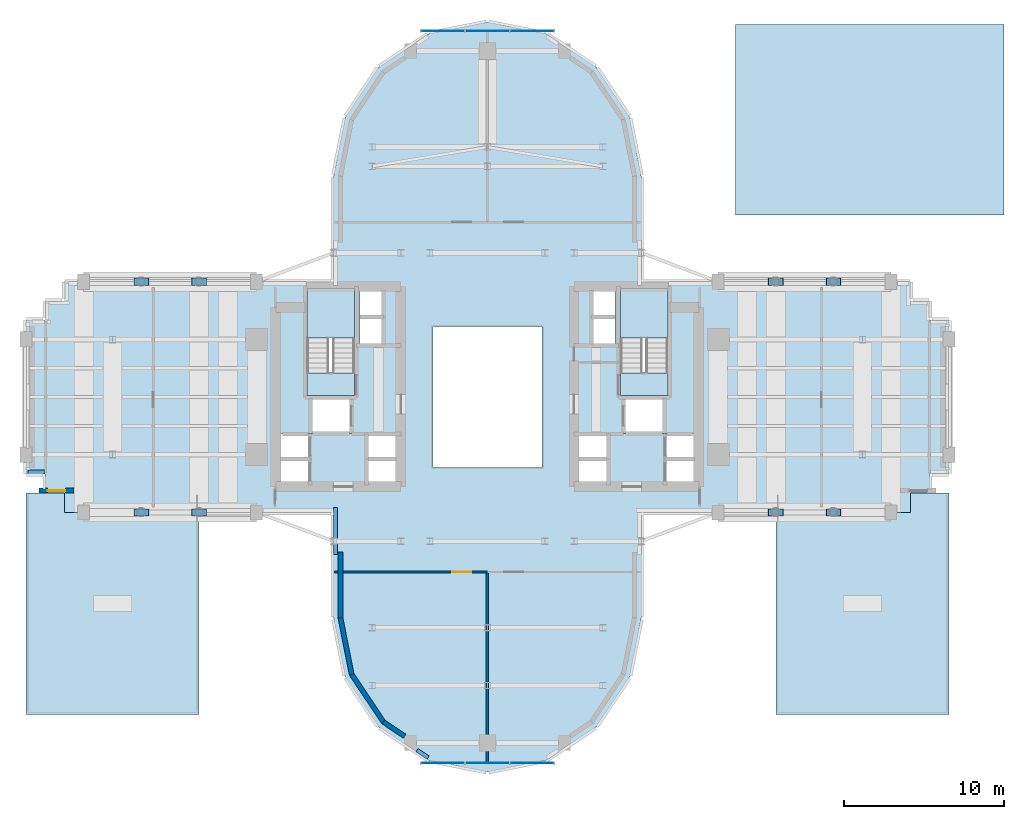
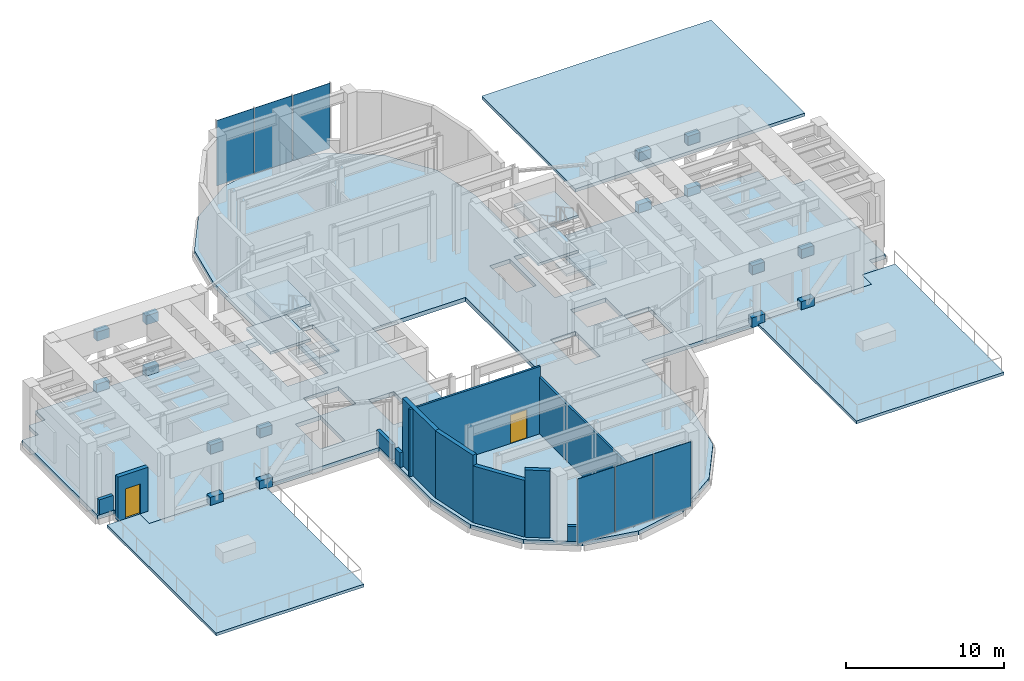
# One storey, part 8 of 16: 22 plates, 11 walls, 10 slabs, 2 doors, 2 openings, 4 elements without a shape of their own.
"""IFC4 building model written with IfcOpenShell, lengths in metres."""

import ifcopenshell
import ifcopenshell.guid

model = None  # the IFC model being written
_history = None  # IfcOwnerHistory: only IFC2X3 demands one
_inside = {}  # id of a spatial element -> (the spatial element, [elements in it])
_under = {}  # id of a project, library or spatial element -> (it, [spatial elements below it])
_declared = {}  # id of a project -> (the project, [libraries it declares])
_typed = {}  # id of a type object -> (the type object, [elements of that type])
_made_of = {}  # id of a material, layer set ... -> (it, [elements and type objects made of it])


def new_model(schema):
    """Start an empty IFC model of exactly this schema.

    Asked for "IFC4X3", IfcOpenShell would pick the latest addendum, in which some entities
    have other attributes; the version numbers below select the first issue.
    IFC2X3 requires an IfcOwnerHistory on every rooted entity: one is made here for all.
    """
    global model, _history
    if schema == "IFC4X3":
        model = ifcopenshell.file(schema_version=(4, 3, 0, 0))
    else:
        model = ifcopenshell.file(schema=schema)
    _inside.clear()
    _under.clear()
    _declared.clear()
    _typed.clear()
    _made_of.clear()
    _history = None
    if model.schema == "IFC2X3":
        org = make("IfcOrganization", Name="unknown")
        user = make(
            "IfcPersonAndOrganization",
            ThePerson=make("IfcPerson", FamilyName="unknown"),
            TheOrganization=org,
        )
        app = make(
            "IfcApplication",
            ApplicationDeveloper=org,
            Version="unknown",
            ApplicationFullName="unknown",
            ApplicationIdentifier="unknown",
        )
        _history = make(
            "IfcOwnerHistory",
            OwningUser=user,
            OwningApplication=app,
            ChangeAction="ADDED",
            CreationDate=0,
        )
    return model


def make(cls, **values):
    """One entity of the class cls with the attributes given. An attribute that is None is left unset."""
    return model.create_entity(
        cls, **{name: value for name, value in values.items() if value is not None}
    )


def rooted(cls, **values):
    """An entity with a GlobalId (a new one), such as an element, a storey or a relation."""
    return make(cls, GlobalId=ifcopenshell.guid.new(), OwnerHistory=_history, **values)


def si_unit(unit_type, name, prefix=None):
    """IfcSIUnit, for example si_unit("LENGTHUNIT", "METRE", prefix="MILLI")."""
    return make("IfcSIUnit", UnitType=unit_type, Prefix=prefix, Name=name)


def assignment(units):
    """IfcUnitAssignment: the units of a project."""
    return None if units is None else make("IfcUnitAssignment", Units=units)


def point(xyz):
    """IfcCartesianPoint."""
    return None if xyz is None else make("IfcCartesianPoint", Coordinates=xyz)


def direction(xyz):
    """IfcDirection."""
    return None if xyz is None else make("IfcDirection", DirectionRatios=xyz)


def frame(location, z_axis=None, x_axis=None):
    """IfcAxis2Placement3D, a coordinate frame: its origin and axes. An axis left out is left unset."""
    return make(
        "IfcAxis2Placement3D",
        Location=point(location),
        Axis=direction(z_axis),
        RefDirection=direction(x_axis),
    )


def frame_2d(location, x_axis=None):
    """IfcAxis2Placement2D, a coordinate frame in the plane: its origin and x axis."""
    return make(
        "IfcAxis2Placement2D", Location=point(location), RefDirection=direction(x_axis)
    )


def origin():
    """The frame at (0, 0, 0) with its axes left unset."""
    return frame((0.0, 0.0, 0.0))


def origin_2d():
    """The frame at (0, 0) in the plane with its x axis left unset."""
    return frame_2d((0.0, 0.0))


def place(relative_to, where):
    """IfcLocalPlacement: puts the frame where relative to a parent placement (None: the world)."""
    return make(
        "IfcLocalPlacement", PlacementRelTo=relative_to, RelativePlacement=where
    )


def context(
    kind, dimensions, precision=None, world=None, true_north=None, identifier=None
):
    """IfcGeometricRepresentationContext, for example the 3D "Model" context."""
    return make(
        "IfcGeometricRepresentationContext",
        ContextIdentifier=identifier,
        ContextType=kind,
        CoordinateSpaceDimension=dimensions,
        Precision=precision,
        WorldCoordinateSystem=world,
        TrueNorth=true_north,
    )


def subcontext(parent, identifier, kind, view, scale=None):
    """IfcGeometricRepresentationSubContext, for example "Body" below "Model"."""
    return make(
        "IfcGeometricRepresentationSubContext",
        ContextIdentifier=identifier,
        ContextType=kind,
        ParentContext=parent,
        TargetScale=scale,
        TargetView=view,
    )


def project(units=None, contexts=None):
    """IfcProject with its units and contexts."""
    return rooted(
        "IfcProject",
        Name="project",
        RepresentationContexts=contexts,
        UnitsInContext=assignment(units),
    )


def spatial(cls, under=None, at=None, **own):
    """A site, building, storey or space (cls), placed at a placement, below another one or the project."""
    s = rooted(cls, ObjectPlacement=at, **own)
    if under is not None:
        _under.setdefault(under.id(), (under, []))[1].append(s)
    return s


def polyline(points):
    """IfcPolyline through the points."""
    return make("IfcPolyline", Points=[point(p) for p in points])


def profile(cls, at=None, kind="AREA", **sizes):
    """A parametric profile (cls). Its sizes go by their IFC names, for example OverallWidth=200.0."""
    return make(cls, ProfileType=kind, Position=at, **sizes)


def rectangle(**sizes):
    """IfcRectangleProfileDef."""
    return profile("IfcRectangleProfileDef", **sizes)


def outline(outer, holes=None, kind="AREA"):
    """IfcArbitraryClosedProfileDef: a profile drawn as a closed curve; with holes, ...WithVoids."""
    if holes is None:
        return make("IfcArbitraryClosedProfileDef", ProfileType=kind, OuterCurve=outer)
    return make(
        "IfcArbitraryProfileDefWithVoids",
        ProfileType=kind,
        OuterCurve=outer,
        InnerCurves=holes,
    )


def extrude(swept, where, along, depth):
    """IfcExtrudedAreaSolid: the profile swept, set in the frame where, extruded along a direction by depth."""
    return make(
        "IfcExtrudedAreaSolid",
        SweptArea=swept,
        Position=where,
        ExtrudedDirection=direction(along),
        Depth=depth,
    )


def shape(context_of_items, identifier, shape_type, items):
    """IfcShapeRepresentation: the items that make up one representation, for example the "Body"."""
    return make(
        "IfcShapeRepresentation",
        ContextOfItems=context_of_items,
        RepresentationIdentifier=identifier,
        RepresentationType=shape_type,
        Items=items,
    )


def source(mapping_origin, context_of_items, identifier, shape_type, items):
    """IfcRepresentationMap: a shape defined once, which mapped items show again and again."""
    return make(
        "IfcRepresentationMap",
        MappingOrigin=mapping_origin,
        MappedRepresentation=shape(context_of_items, identifier, shape_type, items),
    )


def transform(
    local_origin,
    x_axis=None,
    y_axis=None,
    z_axis=None,
    scale=None,
    scale2=None,
    scale3=None,
    uniform=True,
):
    """IfcCartesianTransformationOperator3D, or its non-uniform kind. x_axis, y_axis, z_axis: its Axis1, 2, 3."""
    if uniform:
        return make(
            "IfcCartesianTransformationOperator3D",
            Axis1=direction(x_axis),
            Axis2=direction(y_axis),
            LocalOrigin=point(local_origin),
            Scale=scale,
            Axis3=direction(z_axis),
        )
    return make(
        "IfcCartesianTransformationOperator3DnonUniform",
        Axis1=direction(x_axis),
        Axis2=direction(y_axis),
        LocalOrigin=point(local_origin),
        Scale=scale,
        Axis3=direction(z_axis),
        Scale2=scale2,
        Scale3=scale3,
    )


def mapped(mapping_source, mapping_target):
    """IfcMappedItem: shows the shape of a source again, moved by a transform."""
    return make(
        "IfcMappedItem", MappingSource=mapping_source, MappingTarget=mapping_target
    )


def material(Name=None, Category=None):
    """IfcMaterial."""
    return make("IfcMaterial", Name=Name, Category=Category)


def layer(
    of_material, thickness, ventilated=None, Name=None, Category=None, Priority=None
):
    """IfcMaterialLayer: one layer of a wall or slab, of a material (None: an air gap)."""
    return make(
        "IfcMaterialLayer",
        Material=of_material,
        LayerThickness=thickness,
        IsVentilated=ventilated,
        Name=Name,
        Category=Category,
        Priority=Priority,
    )


def layer_set(layers, Name=None):
    """IfcMaterialLayerSet."""
    return make("IfcMaterialLayerSet", MaterialLayers=layers, LayerSetName=Name)


def made_of(thing, what):
    """Note that an element or type object is made of a material, layer set ...; save() writes the relation."""
    if what is not None:
        _made_of.setdefault(what.id(), (what, []))[1].append(thing)
    return thing


def type_object(cls, material=None, **own):
    """A type object (cls), such as IfcWallType, which elements share."""
    return made_of(rooted(cls, **own), material)


def element(
    cls,
    number,
    at=None,
    inside=None,
    cuts=None,
    type_object=None,
    material=None,
    context=None,
    identifier="Body",
    shape_type=None,
    held_by="IfcProductDefinitionShape",
    body=None,
    shapes=None,
    **own,
):
    """One element of the class cls, such as IfcWall. Its Tag is "e" and its number.

    at: its placement. inside: the storey or other place that contains it. cuts: it is an
    opening in that element (IfcRelVoidsElement). A single representation is given by context,
    identifier, shape_type and body (its items); several are given by shapes. held_by: the class
    of the entity that holds the representations. save() writes the other relations.
    """
    e = rooted(cls, Tag="e%d" % number, ObjectPlacement=at, **own)
    if body is not None:
        shapes = [shape(context, identifier, shape_type, body)]
    if shapes is not None:
        e.Representation = make(held_by, Representations=shapes)
    if inside is not None:
        _inside.setdefault(inside.id(), (inside, []))[1].append(e)
    if cuts is not None:
        rooted(
            "IfcRelVoidsElement", RelatingBuildingElement=cuts, RelatedOpeningElement=e
        )
    if type_object is not None:
        _typed.setdefault(type_object.id(), (type_object, []))[1].append(e)
    return made_of(e, material)


def fill(opening, filler):
    """IfcRelFillsElement: the door or window that sits in an opening."""
    return rooted(
        "IfcRelFillsElement",
        RelatingOpeningElement=opening,
        RelatedBuildingElement=filler,
    )


def aggregate(whole, parts):
    """IfcRelAggregates: a whole, such as a stair, and the parts it consists of."""
    return rooted("IfcRelAggregates", RelatingObject=whole, RelatedObjects=parts)


def save(model, path):
    """Write the relations noted so far, then the file.

    IfcRelAggregates (storeys below a building ...), IfcRelContainedInSpatialStructure (elements
    in a storey), IfcRelDefinesByType, IfcRelAssociatesMaterial and IfcRelDeclares: one each for
    every whole, place, type object, material and project.
    """
    for whole, parts in _under.values():
        aggregate(whole, parts)
    for where, things in _inside.values():
        rooted(
            "IfcRelContainedInSpatialStructure",
            RelatedElements=things,
            RelatingStructure=where,
        )
    for kind, things in _typed.values():
        rooted("IfcRelDefinesByType", RelatedObjects=things, RelatingType=kind)
    for what, things in _made_of.values():
        rooted("IfcRelAssociatesMaterial", RelatedObjects=things, RelatingMaterial=what)
    for by, libraries in _declared.values():
        rooted("IfcRelDeclares", RelatingContext=by, RelatedDefinitions=libraries)
    model.write(path)


model = new_model("IFC4")

# Units and contexts
model_context = context("Model", 3, precision=1e-05, world=origin(), true_north=direction((0.0, 1.0)))
body_context = subcontext(model_context, "Body", "Model", "MODEL_VIEW")
ifc_project = project(units=[si_unit("LENGTHUNIT", "METRE"), si_unit("AREAUNIT", "SQUARE_METRE"), si_unit("VOLUMEUNIT", "CUBIC_METRE"), si_unit("PLANEANGLEUNIT", "RADIAN"), si_unit("MASSUNIT", "GRAM", prefix="KILO")], contexts=[model_context])

# Site, building, storey
site_placement = place(None, origin())
site = spatial("IfcSite", under=ifc_project, at=site_placement, CompositionType="ELEMENT")
building_placement = place(site_placement, origin())
building = spatial("IfcBuilding", under=site, at=building_placement, Name="Keilestroom Media Tower", CompositionType="ELEMENT")
storey_placement = place(building_placement, frame((0.0, 0.0, 25.199951171875)))
storey = spatial("IfcBuildingStorey", under=building, at=storey_placement, Name="L05", CompositionType="ELEMENT", Elevation=25.199951171875)

# Slabs
ifc_material_1 = material(Name="Concrete C55/67", Category="concrete")
ifc_layer_1 = layer(ifc_material_1, 0.320068359375)
ifc_layer_set_1 = layer_set([ifc_layer_1], Name="Concrete C55/67")
slab_type_1 = type_object("IfcSlabType", Name="Composite-Floor-Slab-320", PredefinedType="FLOOR", material=ifc_layer_set_1)
slab_1_placement = place(storey_placement, frame((0.0, 0.0, -0.320068359375)))
element("IfcSlab", 1, at=slab_1_placement, inside=storey, type_object=slab_type_1, Name="L05 Structural Composite Floor Slab", PredefinedType="FLOOR", context=body_context, shape_type="SweptSolid", body=[
    extrude(outline(polyline([(28.800048828125, -4.800048828125), (28.800048828125, 4.800048828125), (27.60009765625, 4.800048828125), (27.60009765625, 6.0), (26.39990234375, 6.0), (26.39990234375, 7.199951171875), (9.60009765625, 7.199951171875), (9.60009765625, 9.60009765625), (9.60009765625, 13.800048828125), (8.869140625, 17.473876953125), (6.7880859375, 20.588134765625), (3.673828125, 22.669189453125), (0.0, 23.39990234375), (-3.673828125, 22.669189453125), (-6.7880859375, 20.588134765625), (-8.869140625, 17.473876953125), (-9.60009765625, 13.800048828125), (-9.60009765625, 9.60009765625), (-9.60009765625, 7.199951171875), (-26.39990234375, 7.199951171875), (-26.39990234375, 6.0), (-27.60009765625, 6.0), (-27.60009765625, 4.800048828125), (-28.800048828125, 4.800048828125), (-28.800048828125, -4.800048828125), (-27.60009765625, -4.800048828125), (-27.60009765625, -6.0), (-26.39990234375, -6.0), (-26.39990234375, -7.199951171875), (-9.60009765625, -7.199951171875), (-9.60009765625, -9.60009765625), (-9.60009765625, -13.800048828125), (-8.869140625, -17.473876953125), (-6.7880859375, -20.588134765625), (-3.673828125, -22.669189453125), (0.0, -23.39990234375), (3.673828125, -22.669189453125), (6.7880859375, -20.588134765625), (8.869140625, -17.473876953125), (9.60009765625, -13.800048828125), (9.60009765625, -9.60009765625), (9.60009765625, -7.199951171875), (26.39990234375, -7.199951171875), (26.39990234375, -6.0), (27.60009765625, -6.0), (27.60009765625, -4.800048828125), (28.800048828125, -4.800048828125)]), holes=[polyline([(-12.919921875, -5.47998046875), (-12.919921875, -2.320068359375), (-11.080078125, -2.320068359375), (-11.080078125, -5.47998046875), (-12.919921875, -5.47998046875)]), polyline([(-11.260009765625, 1.544921875), (-11.260009765625, 6.760009765625), (-8.300048828125, 6.760009765625), (-8.300048828125, 1.544921875), (-11.260009765625, 1.544921875)]), polyline([(-11.050048828125, -2.280029296875), (-11.050048828125, -0.10009765625), (-8.47998046875, -0.10009765625), (-8.47998046875, -2.280029296875), (-11.050048828125, -2.280029296875)]), polyline([(-7.949951171875, 3.300048828125), (-7.949951171875, 6.64990234375), (-6.47998046875, 6.64990234375), (-6.47998046875, 3.300048828125), (-7.949951171875, 3.300048828125)]), polyline([(-7.56005859375, -5.47998046875), (-7.56005859375, -2.320068359375), (-5.719970703125, -2.320068359375), (-5.719970703125, -5.47998046875), (-7.56005859375, -5.47998046875)]), polyline([(-3.39990234375, -4.39990234375), (-3.39990234375, 4.39990234375), (3.39990234375, 4.39990234375), (3.39990234375, -4.39990234375), (-3.39990234375, -4.39990234375)]), polyline([(5.719970703125, -5.47998046875), (5.719970703125, -2.320068359375), (7.56005859375, -2.320068359375), (7.56005859375, -5.47998046875), (5.719970703125, -5.47998046875)]), polyline([(7.949951171875, 6.64990234375), (7.949951171875, 3.300048828125), (6.47998046875, 3.300048828125), (6.47998046875, 6.64990234375), (7.949951171875, 6.64990234375)]), polyline([(8.300048828125, 6.760009765625), (11.260009765625, 6.760009765625), (11.260009765625, 1.544921875), (8.300048828125, 1.544921875), (8.300048828125, 6.760009765625)]), polyline([(8.47998046875, -2.280029296875), (8.47998046875, -0.10009765625), (11.050048828125, -0.10009765625), (11.050048828125, -2.280029296875), (8.47998046875, -2.280029296875)]), polyline([(12.919921875, -5.47998046875), (11.080078125, -5.47998046875), (11.080078125, -2.320068359375), (12.919921875, -2.320068359375), (12.919921875, -5.47998046875)])]), origin(), (0.0, 0.0, 1.0), 0.320068359375),
])
ifc_material_2 = material(Name="Concrete C45/55", Category="concrete")
ifc_layer_2 = layer(ifc_material_2, 0.219970703125)
ifc_layer_set_2 = layer_set([ifc_layer_2], Name="Concrete C45/55")
slab_type_2 = type_object("IfcSlabType", Name="Exterior-Terrace-And-Sky-Garden-Slab-220", PredefinedType="FLOOR", material=ifc_layer_set_2)
slab_2_placement = place(storey_placement, frame((0.0, 0.0, -0.219970703125)))
element("IfcSlab", 2, at=slab_2_placement, inside=storey, type_object=slab_type_2, Name="L05 Planted Sky-Garden Terrace Slab POD-TERR-SW", PredefinedType="FLOOR", context=body_context, shape_type="SweptSolid", body=[
    extrude(outline(polyline([(-28.800048828125, -19.800048828125), (-18.0, -19.800048828125), (-18.0, -7.199951171875), (-26.39990234375, -7.199951171875), (-26.39990234375, -6.0), (-28.800048828125, -6.0), (-28.800048828125, -19.800048828125)])), origin(), (0.0, 0.0, 1.0), 0.219970703125),
])
slab_3_placement = place(storey_placement, frame((0.0, 0.0, -0.219970703125)))
element("IfcSlab", 3, at=slab_3_placement, inside=storey, type_object=slab_type_2, Name="L05 Planted Sky-Garden Terrace Slab POD-TERR-SE", PredefinedType="FLOOR", context=body_context, shape_type="SweptSolid", body=[
    extrude(outline(polyline([(18.0, -19.800048828125), (28.800048828125, -19.800048828125), (28.800048828125, -6.0), (26.39990234375, -6.0), (26.39990234375, -7.199951171875), (18.0, -7.199951171875), (18.0, -19.800048828125)])), origin(), (0.0, 0.0, 1.0), 0.219970703125),
])
ifc_material_3 = material(Name="Concrete C50/60", Category="concrete")
ifc_layer_3 = layer(ifc_material_3, 0.239990234375)
ifc_layer_set_3 = layer_set([ifc_layer_3], Name="Concrete C50/60")
slab_type_3 = type_object("IfcSlabType", Name="Roof-Slab-240", PredefinedType="ROOF", material=ifc_layer_set_3)
slab_4_placement = place(storey_placement, frame((0.0, 0.0, -0.320068359375)))
element("IfcSlab", 4, at=slab_4_placement, inside=storey, type_object=slab_type_3, Name="L05 North-East Podium Wing Roof Slab", PredefinedType="ROOF", context=body_context, shape_type="SweptSolid", body=[
    extrude(outline(polyline([(15.47509765625, 11.375), (32.239990234375, 11.375), (32.239990234375, 23.239990234375), (15.47509765625, 23.239990234375), (15.47509765625, 11.375)])), origin(), (0.0, 0.0, 1.0), 0.240234375),
])

# Stair, slabs
stair_type = type_object("IfcStairType", Name="Enclosed-Dog-Leg-Stair-ST-CORE", PredefinedType="HALF_TURN_STAIR", material=ifc_material_2)
stair_1_placement = place(storey_placement, origin())
stair_1 = element("IfcStair", 5, at=stair_1_placement, inside=storey, type_object=stair_type, Name="L05 West Core Escape Stair ST-1", PredefinedType="HALF_TURN_STAIR")
ifc_layer_4 = layer(ifc_material_2, 0.199951171875)
ifc_layer_set_4 = layer_set([ifc_layer_4], Name="Concrete C45/55")
slab_type_4 = type_object("IfcSlabType", Name="Stair-Intermediate-And-Top-Landing-Slab-200", PredefinedType="LANDING", material=ifc_layer_set_4)
slab_5_placement = place(storey_placement, frame((0.0, 0.0, 1.150146484375)))
slab_5 = element("IfcSlab", 6, at=slab_5_placement, type_object=slab_type_4, Name="ST-1 landing 1", PredefinedType="LANDING", context=body_context, shape_type="SweptSolid", body=[
    extrude(outline(polyline([(-8.300048828125, 3.68408203125), (-8.300048828125, 6.760009765625), (-11.260009765625, 6.760009765625), (-11.260009765625, 3.68408203125), (-8.300048828125, 3.68408203125)])), origin(), (0.0, 0.0, 1.0), 0.199951171875),
])
slab_6_placement = place(storey_placement, frame((0.0, 0.0, 2.5)))
slab_6 = element("IfcSlab", 7, at=slab_6_placement, type_object=slab_type_4, Name="ST-1 landing 2", PredefinedType="LANDING", context=body_context, shape_type="SweptSolid", body=[
    extrude(outline(polyline([(-8.300048828125, 0.080078125), (-8.300048828125, 1.5), (-11.260009765625, 1.5), (-11.260009765625, 0.080078125), (-8.300048828125, 0.080078125)])), origin(), (0.0, 0.0, 1.0), 0.199951171875),
])
slab_7_placement = place(storey_placement, frame((0.0, 0.0, 3.85009765625)))
slab_7 = element("IfcSlab", 8, at=slab_7_placement, type_object=slab_type_4, Name="ST-1 landing 3", PredefinedType="LANDING", context=body_context, shape_type="SweptSolid", body=[
    extrude(outline(polyline([(-8.300048828125, 3.68408203125), (-8.300048828125, 6.760009765625), (-11.260009765625, 6.760009765625), (-11.260009765625, 3.68408203125), (-8.300048828125, 3.68408203125)])), origin(), (0.0, 0.0, 1.0), 0.199951171875),
])
aggregate(stair_1, [slab_5, slab_6, slab_7])

stair_2_placement = place(storey_placement, origin())
stair_2 = element("IfcStair", 9, at=stair_2_placement, inside=storey, type_object=stair_type, Name="L05 East Core Escape Stair ST-2", PredefinedType="HALF_TURN_STAIR")
slab_8_placement = place(storey_placement, frame((0.0, 0.0, 1.150146484375)))
slab_8 = element("IfcSlab", 10, at=slab_8_placement, type_object=slab_type_4, Name="ST-2 landing 1", PredefinedType="LANDING", context=body_context, shape_type="SweptSolid", body=[
    extrude(outline(polyline([(11.260009765625, 3.68408203125), (11.260009765625, 6.760009765625), (8.300048828125, 6.760009765625), (8.300048828125, 3.68408203125), (11.260009765625, 3.68408203125)])), origin(), (0.0, 0.0, 1.0), 0.199951171875),
])
slab_9_placement = place(storey_placement, frame((0.0, 0.0, 2.5)))
slab_9 = element("IfcSlab", 11, at=slab_9_placement, type_object=slab_type_4, Name="ST-2 landing 2", PredefinedType="LANDING", context=body_context, shape_type="SweptSolid", body=[
    extrude(outline(polyline([(11.260009765625, 0.080078125), (11.260009765625, 1.5), (8.300048828125, 1.5), (8.300048828125, 0.080078125), (11.260009765625, 0.080078125)])), origin(), (0.0, 0.0, 1.0), 0.199951171875),
])
slab_10_placement = place(storey_placement, frame((0.0, 0.0, 3.85009765625)))
slab_10 = element("IfcSlab", 12, at=slab_10_placement, type_object=slab_type_4, Name="ST-2 landing 3", PredefinedType="LANDING", context=body_context, shape_type="SweptSolid", body=[
    extrude(outline(polyline([(11.260009765625, 3.68408203125), (11.260009765625, 6.760009765625), (8.300048828125, 6.760009765625), (8.300048828125, 3.68408203125), (11.260009765625, 3.68408203125)])), origin(), (0.0, 0.0, 1.0), 0.199951171875),
])
aggregate(stair_2, [slab_8, slab_9, slab_10])

# Plates
ifc_material_4 = material(Name="Steel S460", Category="steel")
ifc_layer_5 = layer(ifc_material_4, 0.699951171875)
ifc_layer_set_5 = layer_set([ifc_layer_5], Name="Steel S460")
plate_type_1 = type_object("IfcPlateType", Name="Structural-Gusset-And-Cap-Plate-ND-01", PredefinedType="SHEET", material=ifc_layer_set_5)
shared_shape_1 = source(origin(), body_context, "Body", "SweptSolid", [
    extrude(rectangle(XDim=0.89990234375, YDim=0.449951171875, at=origin_2d()), origin(), (0.0, 0.0, 1.0), 0.699951171875),
])
for number, where, z_axis, x_axis, name in (
    (13, (-21.60009765625, -7.199951171875, 3.9501953125), (0.0, 0.0, 1.0), (1.0, 0.0, 0.0), "L05 Transfer Node Gusset ND-01 01"),
    (14, (-18.0, -7.199951171875, 3.9501953125), (0.0, 0.0, 1.0), (1.0, 0.0, 0.0), "L05 Transfer Node Gusset ND-01 02"),
    (15, (-21.60009765625, 7.199951171875, 3.9501953125), (0.0, 0.0, 1.0), (1.0, 0.0, 0.0), "L05 Transfer Node Gusset ND-01 03"),
    (16, (-18.0, 7.199951171875, 3.9501953125), (0.0, 0.0, 1.0), (1.0, 0.0, 0.0), "L05 Transfer Node Gusset ND-01 04"),
    (17, (18.0, -7.199951171875, 3.9501953125), (0.0, 0.0, 1.0), (1.0, 0.0, 0.0), "L05 Transfer Node Gusset ND-01 05"),
    (18, (21.60009765625, -7.199951171875, 3.9501953125), (0.0, 0.0, 1.0), (1.0, 0.0, 0.0), "L05 Transfer Node Gusset ND-01 06"),
    (19, (18.0, 7.199951171875, 3.9501953125), (0.0, 0.0, 1.0), (1.0, 0.0, 0.0), "L05 Transfer Node Gusset ND-01 07"),
    (20, (21.60009765625, 7.199951171875, 3.9501953125), (0.0, 0.0, 1.0), (1.0, 0.0, 0.0), "L05 Transfer Node Gusset ND-01 08"),
):
    element("IfcPlate", number, at=place(storey_placement, frame(where, z_axis=z_axis, x_axis=x_axis)), inside=storey, type_object=plate_type_1, Name=name, PredefinedType="SHEET", context=body_context, shape_type="MappedRepresentation", body=[
        mapped(shared_shape_1, transform((0.0, 0.0, 0.0), x_axis=(1.0, 0.0, 0.0), y_axis=(0.0, 1.0, 0.0), z_axis=(0.0, 0.0, 1.0), scale=1.0)),
    ])
ifc_layer_6 = layer(ifc_material_4, 0.75)
ifc_layer_set_6 = layer_set([ifc_layer_6], Name="Steel S460")
plate_type_2 = type_object("IfcPlateType", Name="Structural-Gusset-And-Cap-Plate-ND-02", PredefinedType="SHEET", material=ifc_layer_set_6)
shared_shape_2 = source(origin(), body_context, "Body", "SweptSolid", [
    extrude(rectangle(XDim=0.949951171875, YDim=0.449951171875, at=origin_2d()), origin(), (0.0, 0.0, 1.0), 0.75),
])
for number, where, z_axis, x_axis, name in (
    (21, (-21.60009765625, -7.199951171875, -0.125), (0.0, 0.0, 1.0), (1.0, 0.0, 0.0), "L05 Transfer Bearing Cap Plate ND-02 01"),
    (22, (-18.0, -7.199951171875, -0.125), (0.0, 0.0, 1.0), (1.0, 0.0, 0.0), "L05 Transfer Bearing Cap Plate ND-02 02"),
    (23, (-21.60009765625, 7.199951171875, -0.125), (0.0, 0.0, 1.0), (1.0, 0.0, 0.0), "L05 Transfer Bearing Cap Plate ND-02 03"),
    (24, (-18.0, 7.199951171875, -0.125), (0.0, 0.0, 1.0), (1.0, 0.0, 0.0), "L05 Transfer Bearing Cap Plate ND-02 04"),
    (25, (18.0, -7.199951171875, -0.125), (0.0, 0.0, 1.0), (1.0, 0.0, 0.0), "L05 Transfer Bearing Cap Plate ND-02 05"),
    (26, (21.60009765625, -7.199951171875, -0.125), (0.0, 0.0, 1.0), (1.0, 0.0, 0.0), "L05 Transfer Bearing Cap Plate ND-02 06"),
    (27, (18.0, 7.199951171875, -0.125), (0.0, 0.0, 1.0), (1.0, 0.0, 0.0), "L05 Transfer Bearing Cap Plate ND-02 07"),
    (28, (21.60009765625, 7.199951171875, -0.125), (0.0, 0.0, 1.0), (1.0, 0.0, 0.0), "L05 Transfer Bearing Cap Plate ND-02 08"),
):
    element("IfcPlate", number, at=place(storey_placement, frame(where, z_axis=z_axis, x_axis=x_axis)), inside=storey, type_object=plate_type_2, Name=name, PredefinedType="SHEET", context=body_context, shape_type="MappedRepresentation", body=[
        mapped(shared_shape_2, transform((0.0, 0.0, 0.0), x_axis=(1.0, 0.0, 0.0), y_axis=(0.0, 1.0, 0.0), z_axis=(0.0, 0.0, 1.0), scale=1.0)),
    ])

# Curtain wall, plates
ifc_material_5 = material(Name="Anodised Aluminium Alloy", Category="aluminium")
curtain_wall_type = type_object("IfcCurtainWallType", Name="Unitised-Curtain-Wall-CW-6", PredefinedType="NOTDEFINED", material=ifc_material_5)
curtain_wall_1_placement = place(storey_placement, origin())
curtain_wall_1 = element("IfcCurtainWall", 29, at=curtain_wall_1_placement, inside=storey, type_object=curtain_wall_type, Name="L05 Curtain Wall CW-6 CW-L05-N", PredefinedType="NOTDEFINED")
ifc_material_6 = material(Name="Curved-Facet Triple Glazed Unit", Category="glass")
ifc_layer_7 = layer(ifc_material_6, 0.033935546875)
ifc_layer_set_7 = layer_set([ifc_layer_7], Name="Curved-Facet Triple Glazed Unit")
plate_type_3 = type_object("IfcPlateType", Name="Insulated-Curtain-Wall-Glazing-Panel-CW-6", PredefinedType="CURTAIN_PANEL", material=ifc_layer_set_7)
shared_shape_3 = source(origin(), body_context, "Body", "SweptSolid", [
    extrude(rectangle(XDim=2.71044921875, YDim=0.033935546875, at=origin_2d()), origin(), (0.0, 0.0, 1.0), 5.053955078125),
])
plate_1_placement = place(storey_placement, frame((-2.78369140625, 22.85009765625, 0.0732421875), z_axis=(0.0, 0.0, 1.0), x_axis=(1.0, 0.0, 0.0)))
plate_1 = element("IfcPlate", 30, at=plate_1_placement, type_object=plate_type_3, Name="CW-6 Unitised Glazing 00", PredefinedType="CURTAIN_PANEL", context=body_context, shape_type="MappedRepresentation", body=[
    mapped(shared_shape_3, transform((0.0, 0.0, 0.0), x_axis=(1.0, 0.0, 0.0), y_axis=(0.0, 1.0, 0.0), z_axis=(0.0, 0.0, 1.0), scale=1.0)),
])
plate_2_placement = place(storey_placement, frame((2.78369140625, 22.85009765625, 0.0732421875), z_axis=(0.0, 0.0, 1.0), x_axis=(1.0, 0.0, 0.0)))
plate_2 = element("IfcPlate", 31, at=plate_2_placement, type_object=plate_type_3, Name="CW-6 Unitised Glazing 02", PredefinedType="CURTAIN_PANEL", context=body_context, shape_type="MappedRepresentation", body=[
    mapped(shared_shape_3, transform((0.0, 0.0, 0.0), x_axis=(1.0, 0.0, 0.0), y_axis=(0.0, 1.0, 0.0), z_axis=(0.0, 0.0, 1.0), scale=1.0)),
])

curtain_wall_2_placement = place(storey_placement, origin())
curtain_wall_2 = element("IfcCurtainWall", 32, at=curtain_wall_2_placement, inside=storey, type_object=curtain_wall_type, Name="L05 Curtain Wall CW-6 CW-L05-S", PredefinedType="NOTDEFINED")
plate_3_placement = place(storey_placement, frame((-2.78369140625, -22.85009765625, 0.0732421875), z_axis=(0.0, 0.0, 1.0), x_axis=(1.0, 0.0, 0.0)))
plate_3 = element("IfcPlate", 33, at=plate_3_placement, type_object=plate_type_3, Name="CW-6 Unitised Glazing 00", PredefinedType="CURTAIN_PANEL", context=body_context, shape_type="MappedRepresentation", body=[
    mapped(shared_shape_3, transform((0.0, 0.0, 0.0), x_axis=(1.0, 0.0, 0.0), y_axis=(0.0, 1.0, 0.0), z_axis=(0.0, 0.0, 1.0), scale=1.0)),
])
plate_4_placement = place(storey_placement, frame((2.78369140625, -22.85009765625, 0.0732421875), z_axis=(0.0, 0.0, 1.0), x_axis=(1.0, 0.0, 0.0)))
plate_4 = element("IfcPlate", 34, at=plate_4_placement, type_object=plate_type_3, Name="CW-6 Unitised Glazing 02", PredefinedType="CURTAIN_PANEL", context=body_context, shape_type="MappedRepresentation", body=[
    mapped(shared_shape_3, transform((0.0, 0.0, 0.0), x_axis=(1.0, 0.0, 0.0), y_axis=(0.0, 1.0, 0.0), z_axis=(0.0, 0.0, 1.0), scale=1.0)),
])

# Plate
shared_shape_4 = source(origin(), body_context, "Body", "SweptSolid", [
    extrude(rectangle(XDim=2.742919921875, YDim=0.033935546875, at=origin_2d()), origin(), (0.0, 0.0, 1.0), 5.053955078125),
])
plate_5_placement = place(storey_placement, frame((0.0, 22.85009765625, 0.0732421875), z_axis=(0.0, 0.0, 1.0), x_axis=(1.0, 0.0, 0.0)))
plate_5 = element("IfcPlate", 35, at=plate_5_placement, type_object=plate_type_3, Name="CW-6 Unitised Glazing 01", PredefinedType="CURTAIN_PANEL", context=body_context, shape_type="MappedRepresentation", body=[
    mapped(shared_shape_4, transform((0.0, 0.0, 0.0), x_axis=(1.0, 0.0, 0.0), y_axis=(0.0, 1.0, 0.0), z_axis=(0.0, 0.0, 1.0), scale=1.0)),
])

aggregate(curtain_wall_1, [plate_1, plate_5, plate_2])

plate_6_placement = place(storey_placement, frame((0.0, -22.85009765625, 0.0732421875), z_axis=(0.0, 0.0, 1.0), x_axis=(1.0, 0.0, 0.0)))
plate_6 = element("IfcPlate", 36, at=plate_6_placement, type_object=plate_type_3, Name="CW-6 Unitised Glazing 01", PredefinedType="CURTAIN_PANEL", context=body_context, shape_type="MappedRepresentation", body=[
    mapped(shared_shape_4, transform((0.0, 0.0, 0.0), x_axis=(1.0, 0.0, 0.0), y_axis=(0.0, 1.0, 0.0), z_axis=(0.0, 0.0, 1.0), scale=1.0)),
])

aggregate(curtain_wall_2, [plate_3, plate_6, plate_4])

# Walls
ifc_material_7 = material(Name="Precast concrete C40/50", Category="concrete")
ifc_layer_8 = layer(ifc_material_7, 0.300048828125)
ifc_layer_set_8 = layer_set([ifc_layer_8], Name="Precast concrete C40/50")
wall_type_1 = type_object("IfcWallType", Name="Exterior-Masonry-Spandrel-Wall-300", PredefinedType="SOLIDWALL", material=ifc_layer_set_8)
wall_1_placement = place(storey_placement, frame((-9.171875, -9.659912109375, 0.0), z_axis=(0.0, 0.0, 1.0), x_axis=(0.0, -1.0, 0.0)))
element("IfcWall", 37, at=wall_1_placement, inside=storey, type_object=wall_type_1, Name="L05 Plant Lobe Masonry Wall 09", PredefinedType="SOLIDWALL", context=body_context, shape_type="SweptSolid", body=[
    extrude(rectangle(XDim=4.170166015625, YDim=0.300048828125, at=frame_2d((2.0849609375, 0.0))), origin(), (0.0, 0.0, 1.0), 5.199951171875),
])
wall_2_placement = place(storey_placement, frame((-9.1748046875, -13.785400390625, 0.0), z_axis=(0.0, 0.0, 1.0), x_axis=(0.195114232679, -0.980780523974, 0.0)))
element("IfcWall", 38, at=wall_2_placement, inside=storey, type_object=wall_type_1, Name="L05 Plant Lobe Masonry Wall 10", PredefinedType="SOLIDWALL", context=body_context, shape_type="SweptSolid", body=[
    extrude(rectangle(XDim=3.608642578125, YDim=0.300048828125, at=frame_2d((1.80419921875, 0.0))), origin(), (0.0, 0.0, 1.0), 5.199951171875),
])
wall_3_placement = place(storey_placement, frame((-8.48193359375, -17.29736328125, 0.0), z_axis=(0.0, 0.0, 1.0), x_axis=(0.555574187116, -0.831466970246, 0.0)))
element("IfcWall", 39, at=wall_3_placement, inside=storey, type_object=wall_type_1, Name="L05 Plant Lobe Masonry Wall 11", PredefinedType="SOLIDWALL", context=body_context, shape_type="SweptSolid", body=[
    extrude(rectangle(XDim=3.608642578125, YDim=0.300048828125, at=frame_2d((1.80419921875, 0.0))), origin(), (0.0, 0.0, 1.0), 4.385986328125),
])
wall_4_placement = place(storey_placement, frame((-6.497802734375, -20.277099609375, 0.0), z_axis=(0.0, 0.0, 1.0), x_axis=(0.831440566957, -0.555613699992, 0.0)))
element("IfcWall", 40, at=wall_4_placement, inside=storey, type_object=wall_type_1, Name="L05 Plant Lobe Masonry Wall 12", PredefinedType="SOLIDWALL", context=body_context, shape_type="SweptSolid", body=[
    extrude(rectangle(XDim=1.60302734375, YDim=0.300048828125, at=frame_2d((0.801513671875, 0.0))), origin(), (0.0, 0.0, 1.0), 5.199951171875),
])

# Wall, opening, door
wall_5_placement = place(storey_placement, frame((-28.0, -5.840087890625, 0.0), z_axis=(0.0, 0.0, 1.0), x_axis=(1.0, 0.0, 0.0)))
wall_5 = element("IfcWall", 41, at=wall_5_placement, inside=storey, type_object=wall_type_1, Name="L05 Terrace Threshold Wall POD-SW", PredefinedType="SOLIDWALL", context=body_context, shape_type="SweptSolid", body=[
    extrude(rectangle(XDim=2.2099609375, YDim=0.300048828125, at=frame_2d((1.10498046875, 0.0))), origin(), (0.0, 0.0, 1.0), 3.400146484375),
])
opening_1_placement = place(wall_5_placement, frame((0.554931640625, 0.0, 0.0)))
opening_1 = element("IfcOpeningElement", 42, at=opening_1_placement, cuts=wall_5, Name="Opening DE-02", PredefinedType="OPENING", context=body_context, shape_type="SweptSolid", body=[
    extrude(rectangle(XDim=1.10009765625, YDim=2.300048828125, at=frame_2d((0.550048828125, 1.14990234375))), frame((0.0, 0.16015625, 0.0), z_axis=(0.0, -1.0, 0.0), x_axis=(1.0, 0.0, 0.0)), (0.0, 0.0, 1.0), 0.320068359375),
])
ifc_material_8 = material(Name="Thermally Broken Aluminium & Laminated Glass", Category="aluminium")
door_type_1 = type_object("IfcDoorType", Name="Exterior-Entrance-And-Terrace-Door-DE-02", OperationType="NOTDEFINED", PredefinedType="DOOR", material=ifc_material_8)
shared_shape_5 = source(origin(), body_context, "Body", "SweptSolid", [
    extrude(rectangle(XDim=1.10009765625, YDim=2.300048828125, at=frame_2d((0.550048828125, 1.14990234375))), frame((0.0, 0.02490234375, 0.0), z_axis=(0.0, -1.0, 0.0), x_axis=(1.0, 0.0, 0.0)), (0.0, 0.0, 1.0), 0.050048828125),
])
door_1_placement = place(opening_1_placement, frame((1.10009765625, 0.0, 0.0), z_axis=(0.0, 0.0, 1.0), x_axis=(-1.0, 0.0, 0.0)))
door_1 = element("IfcDoor", 43, at=door_1_placement, inside=storey, type_object=door_type_1, Name="L05 Terrace Access Door DE-02 POD-SW", OperationType="SINGLE_SWING_LEFT", OverallHeight=2.300048828125, OverallWidth=1.10009765625, PredefinedType="DOOR", context=body_context, shape_type="MappedRepresentation", body=[
    mapped(shared_shape_5, transform((0.0, 0.0, 0.0), x_axis=(1.0, 0.0, 0.0), y_axis=(0.0, 1.0, 0.0), z_axis=(0.0, 0.0, 1.0), scale=1.0)),
])
fill(opening_1, door_1)

ifc_material_9 = material(Name="Gypsum Plasterboard & Steel Stud", Category="steel")
ifc_layer_9 = layer(ifc_material_9, 0.14990234375)
ifc_layer_set_9 = layer_set([ifc_layer_9], Name="Gypsum Plasterboard & Steel Stud")
wall_type_2 = type_object("IfcWallType", Name="Interior-Partition-Wall-150", PredefinedType="PARTITIONING", material=ifc_layer_set_9)
wall_6_placement = place(storey_placement, frame((-9.550048828125, -10.919921875, 0.0), z_axis=(0.0, 0.0, 1.0), x_axis=(1.0, 0.0, 0.0)))
wall_6 = element("IfcWall", 44, at=wall_6_placement, inside=storey, type_object=wall_type_2, Name="L05 Interior Wall WP-L05-PL-PUMPS-N", PredefinedType="PARTITIONING", context=body_context, shape_type="SweptSolid", body=[
    extrude(rectangle(XDim=9.550048828125, YDim=0.14990234375, at=frame_2d((4.77490234375, 0.0))), origin(), (0.0, 0.0, 1.0), 5.199951171875),
])
opening_2_placement = place(wall_6_placement, frame((7.35009765625, 0.0, 0.0)))
opening_2 = element("IfcOpeningElement", 45, at=opening_2_placement, cuts=wall_6, Name="Opening DI-02", PredefinedType="OPENING", context=body_context, shape_type="SweptSolid", body=[
    extrude(rectangle(XDim=1.199951171875, YDim=2.199951171875, at=frame_2d((0.60009765625, 1.10009765625))), frame((0.0, 0.0849609375, 0.0), z_axis=(0.0, -1.0, 0.0), x_axis=(1.0, 0.0, 0.0)), (0.0, 0.0, 1.0), 0.169921875),
])
ifc_material_10 = material(Name="Powder-Coated Steel Fire Leaf", Category="steel")
door_type_2 = type_object("IfcDoorType", Name="Interior-Compartment-Fire-Door-DI-02", OperationType="NOTDEFINED", PredefinedType="DOOR", material=ifc_material_10)
shared_shape_6 = source(origin(), body_context, "Body", "SweptSolid", [
    extrude(rectangle(XDim=1.199951171875, YDim=2.199951171875, at=frame_2d((0.60009765625, 1.10009765625))), frame((0.0, 0.02490234375, 0.0), z_axis=(0.0, -1.0, 0.0), x_axis=(1.0, 0.0, 0.0)), (0.0, 0.0, 1.0), 0.050048828125),
])
door_2_placement = place(opening_2_placement, origin())
door_2 = element("IfcDoor", 46, at=door_2_placement, inside=storey, type_object=door_type_2, Name="L05 Interior Door DI-L05-PL-PUMPS-D", OperationType="SINGLE_SWING_RIGHT", OverallHeight=2.199951171875, OverallWidth=1.199951171875, PredefinedType="DOOR", context=body_context, shape_type="MappedRepresentation", body=[
    mapped(shared_shape_6, transform((0.0, 0.0, 0.0), x_axis=(1.0, 0.0, 0.0), y_axis=(0.0, 1.0, 0.0), z_axis=(0.0, 0.0, 1.0), scale=1.0)),
])
fill(opening_2, door_2)

# Walls
wall_7_placement = place(storey_placement, frame((0.0, -22.85009765625, 0.0), z_axis=(0.0, 0.0, 1.0), x_axis=(0.0, 1.0, 0.0)))
element("IfcWall", 47, at=wall_7_placement, inside=storey, type_object=wall_type_2, Name="L05 Interior Wall WP-L05-PL-PUMPS-M", PredefinedType="PARTITIONING", context=body_context, shape_type="SweptSolid", body=[
    extrude(rectangle(XDim=11.93017578125, YDim=0.14990234375, at=frame_2d((5.965087890625, 0.0))), origin(), (0.0, 0.0, 1.0), 4.385986328125),
])
ifc_layer_10 = layer(ifc_material_7, 0.239990234375)
ifc_layer_set_10 = layer_set([ifc_layer_10], Name="Precast concrete C40/50")
wall_type_3 = type_object("IfcWallType", Name="Roof-And-Terrace-Parapet-Wall-240", PredefinedType="PARAPET", material=ifc_layer_set_10)
wall_8_placement = place(storey_placement, frame((-3.706787109375, -22.502685546875, 0.0), z_axis=(0.0, 0.0, 1.0), x_axis=(-0.831598418809, 0.555377412067, 0.0)))
element("IfcWall", 48, at=wall_8_placement, inside=storey, type_object=wall_type_3, Name="L05 Perimeter Edge Parapet Wall 07", PredefinedType="PARAPET", context=body_context, shape_type="SweptSolid", body=[
    extrude(rectangle(XDim=0.831787109375, YDim=0.239990234375, at=frame_2d((0.416015625, 0.0))), origin(), (0.0, 0.0, 1.0), 1.150146484375),
])
wall_9_placement = place(storey_placement, frame((-9.47998046875, -9.8154296875, 0.0), z_axis=(0.0, 0.0, 1.0), x_axis=(0.0, 1.0, 0.0)))
element("IfcWall", 49, at=wall_9_placement, inside=storey, type_object=wall_type_3, Name="L05 Perimeter Edge Parapet Wall 08", PredefinedType="PARAPET", context=body_context, shape_type="SweptSolid", body=[
    extrude(rectangle(XDim=0.6044921875, YDim=0.239990234375, at=frame_2d((0.30224609375, 0.0))), origin(), (0.0, 0.0, 1.0), 1.150146484375),
])
wall_10_placement = place(storey_placement, frame((-9.47998046875, -8.7890625, 0.0), z_axis=(0.0, 0.0, 1.0), x_axis=(0.0, 1.0, 0.0)))
element("IfcWall", 50, at=wall_10_placement, inside=storey, type_object=wall_type_3, Name="L05 Perimeter Edge Parapet Wall 09", PredefinedType="PARAPET", context=body_context, shape_type="SweptSolid", body=[
    extrude(rectangle(XDim=1.9091796875, YDim=0.239990234375, at=frame_2d((0.95458984375, 0.0))), origin(), (0.0, 0.0, 1.0), 1.150146484375),
])
wall_11_placement = place(storey_placement, frame((-27.657958984375, -4.679931640625, 0.0), z_axis=(0.0, 0.0, 1.0), x_axis=(-1.0, 0.0, 0.0)))
element("IfcWall", 51, at=wall_11_placement, inside=storey, type_object=wall_type_3, Name="L05 Perimeter Edge Parapet Wall 12", PredefinedType="PARAPET", context=body_context, shape_type="SweptSolid", body=[
    extrude(rectangle(XDim=1.02197265625, YDim=0.239990234375, at=frame_2d((0.510986328125, 0.0))), origin(), (0.0, 0.0, 1.0), 1.150146484375),
])

save(model, "model.ifc")
